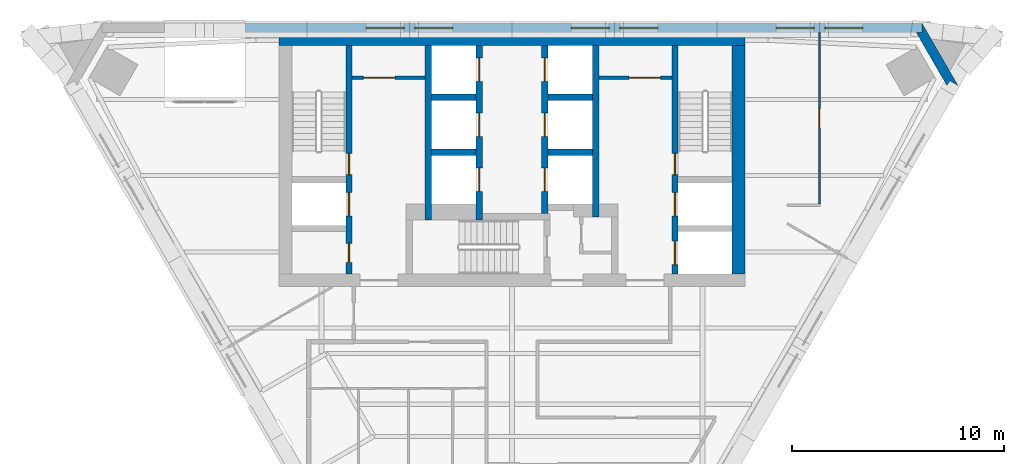
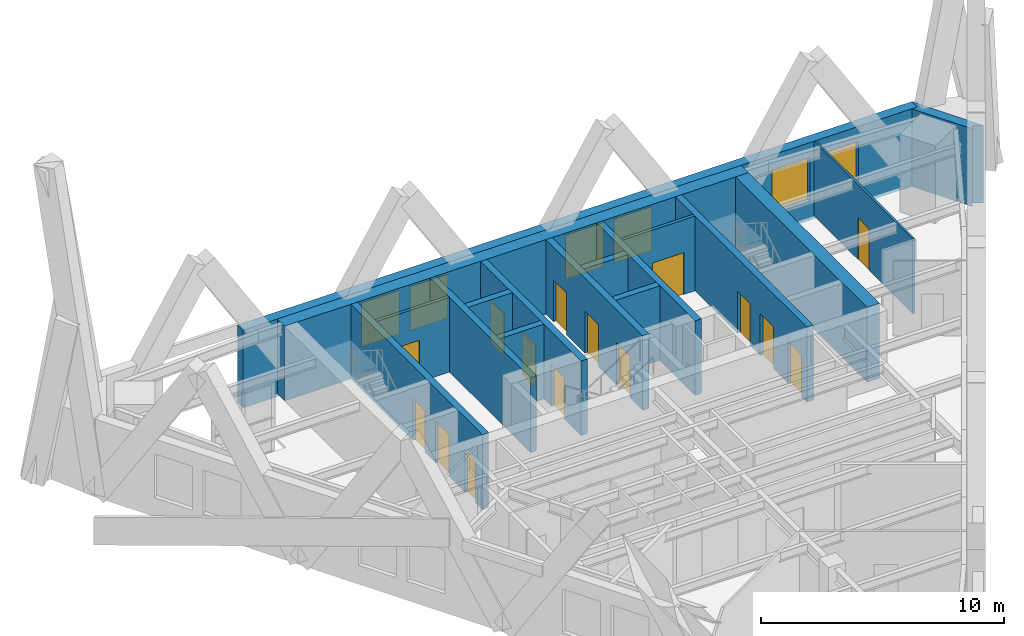
# One storey, part 6 of 9: 17 walls, 15 doors, 6 windows, 21 openings.
"""IFC4 building model written with IfcOpenShell, lengths in metres."""

from ifc_helpers import new_model, si_unit, direction, frame, frame_2d, origin, place, context, subcontext, project, spatial, polyline, rectangle, outline, extrude, material, layer, layer_set, type_object, element, fill, save


model = new_model("IFC4")

# Units and contexts
model_context = context("Model", 3, precision=1e-05, world=origin(), true_north=direction((0.0, 1.0)))
body_context = subcontext(model_context, "Body", "Model", "MODEL_VIEW")
ifc_project = project(units=[si_unit("LENGTHUNIT", "METRE"), si_unit("AREAUNIT", "SQUARE_METRE"), si_unit("VOLUMEUNIT", "CUBIC_METRE"), si_unit("PLANEANGLEUNIT", "RADIAN"), si_unit("MASSUNIT", "GRAM", prefix="KILO")], contexts=[model_context])

# Site, building, storey
site_placement = place(None, origin())
site = spatial("IfcSite", under=ifc_project, at=site_placement, CompositionType="ELEMENT")
building_placement = place(site_placement, origin())
building = spatial("IfcBuilding", under=site, at=building_placement, Name="Aloe Facet Convention Tower", CompositionType="ELEMENT")
storey_placement = place(building_placement, frame((0.0, 0.0, 195.800048828125)))
storey = spatial("IfcBuildingStorey", under=building, at=storey_placement, Name="L49", CompositionType="ELEMENT", Elevation=195.800048828125)

# Wall, opening, door
ifc_material_1 = material(Name="Concrete blockwork partition", Category="masonry")
ifc_layer_1 = layer(ifc_material_1, 0.14990234375)
ifc_layer_set_1 = layer_set([ifc_layer_1], Name="CR-W-PART150")
wall_type_1 = type_object("IfcWallType", Name="CR-W-PART150", PredefinedType="PARTITIONING", material=ifc_layer_set_1)
wall_1_placement = place(storey_placement, frame((72.449951171875, 132.425048828125, 0.0), z_axis=(0.0, 0.0, 1.0), x_axis=(1.0, 0.0, 0.0)))
wall_1 = element("IfcWall", 1, at=wall_1_placement, inside=storey, type_object=wall_type_1, Name="Core partition L49-007", PredefinedType="PARTITIONING", context=body_context, shape_type="SweptSolid", body=[
    extrude(rectangle(XDim=3.449951171875, YDim=0.14990234375, at=frame_2d((1.72509765625, 0.0))), origin(), (0.0, 0.0, 1.0), 3.75),
])
opening_1_placement = place(wall_1_placement, frame((0.52490234375, 0.0, 0.0)))
opening_1 = element("IfcOpeningElement", 2, at=opening_1_placement, cuts=wall_1, Name="Opening L49-CD14", PredefinedType="OPENING", context=body_context, shape_type="SweptSolid", body=[
    extrude(rectangle(XDim=1.5, YDim=2.10009765625, at=frame_2d((0.75, 1.050048828125))), frame((0.0, 0.0849609375, 0.0), z_axis=(0.0, -1.0, 0.0), x_axis=(1.0, 0.0, 0.0)), (0.0, 0.0, 1.0), 0.169921875),
])
ifc_material_2 = material(Name="Steel fire-resisting door set FD60", Category="steel")
door_type_1 = type_object("IfcDoorType", Name="CR-D-REFUGE-1500-FD60-DD", OperationType="DOUBLE_DOOR_DOUBLE_SWING", PredefinedType="DOOR", material=ifc_material_2)
door_1_placement = place(opening_1_placement, origin())
door_1 = element("IfcDoor", 3, at=door_1_placement, inside=storey, type_object=door_type_1, Name="Core door L49-CD14", OperationType="DOUBLE_DOOR_DOUBLE_SWING", OverallHeight=2.10009765625, OverallWidth=1.5, PredefinedType="DOOR", context=body_context, shape_type="SweptSolid", body=[
    extrude(rectangle(XDim=1.5, YDim=2.10009765625, at=frame_2d((0.75, 1.050048828125))), frame((0.0, 0.02490234375, 0.0), z_axis=(0.0, -1.0, 0.0), x_axis=(1.0, 0.0, 0.0)), (0.0, 0.0, 1.0), 0.050048828125),
])
fill(opening_1, door_1)

wall_2_placement = place(storey_placement, frame((84.10009765625, 132.425048828125, 0.0), z_axis=(0.0, 0.0, 1.0), x_axis=(1.0, 0.0, 0.0)))
wall_2 = element("IfcWall", 4, at=wall_2_placement, inside=storey, type_object=wall_type_1, Name="Core partition L49-025", PredefinedType="PARTITIONING", context=body_context, shape_type="SweptSolid", body=[
    extrude(rectangle(XDim=3.449951171875, YDim=0.14990234375, at=frame_2d((1.72509765625, 0.0))), origin(), (0.0, 0.0, 1.0), 3.75),
])
opening_2_placement = place(wall_2_placement, frame((1.425048828125, 0.0, 0.0)))
opening_2 = element("IfcOpeningElement", 5, at=opening_2_placement, cuts=wall_2, Name="Opening L49-CD13", PredefinedType="OPENING", context=body_context, shape_type="SweptSolid", body=[
    extrude(rectangle(XDim=1.5, YDim=2.10009765625, at=frame_2d((0.75, 1.050048828125))), frame((0.0, 0.0849609375, 0.0), z_axis=(0.0, -1.0, 0.0), x_axis=(1.0, 0.0, 0.0)), (0.0, 0.0, 1.0), 0.169921875),
])
door_2_placement = place(opening_2_placement, origin())
door_2 = element("IfcDoor", 6, at=door_2_placement, inside=storey, type_object=door_type_1, Name="Core door L49-CD13", OperationType="DOUBLE_DOOR_DOUBLE_SWING", OverallHeight=2.10009765625, OverallWidth=1.5, PredefinedType="DOOR", context=body_context, shape_type="SweptSolid", body=[
    extrude(rectangle(XDim=1.5, YDim=2.10009765625, at=frame_2d((0.75, 1.050048828125))), frame((0.0, 0.02490234375, 0.0), z_axis=(0.0, -1.0, 0.0), x_axis=(1.0, 0.0, 0.0)), (0.0, 0.0, 1.0), 0.050048828125),
])
fill(opening_2, door_2)

# Wall, openings, doors
ifc_material_3 = material(Name="Concrete C50/60", Category="concrete")
ifc_layer_2 = layer(ifc_material_3, 0.300048828125)
ifc_layer_set_2 = layer_set([ifc_layer_2], Name="CR-W-RC300-C5060")
wall_type_2 = type_object("IfcWallType", Name="CR-W-RC300-C5060", PredefinedType="SOLIDWALL", material=ifc_layer_set_2)
wall_3_placement = place(storey_placement, frame((72.300048828125, 133.949951171875, 0.0), z_axis=(0.0, 0.0, 1.0), x_axis=(0.0, -1.0, 0.0)))
wall_3 = element("IfcWall", 7, at=wall_3_placement, inside=storey, type_object=wall_type_2, Name="Core wall L49-006", PredefinedType="SOLIDWALL", context=body_context, shape_type="SweptSolid", body=[
    extrude(rectangle(XDim=10.800048828125, YDim=0.300048828125, at=frame_2d((5.39990234375, 0.0))), origin(), (0.0, 0.0, 1.0), 3.75),
])
opening_3_placement = place(wall_3_placement, frame((6.949951171875, 0.0, 0.0)))
opening_3 = element("IfcOpeningElement", 8, at=opening_3_placement, cuts=wall_3, Name="Opening LD-FF1-L49", PredefinedType="OPENING", context=body_context, shape_type="SweptSolid", body=[
    extrude(rectangle(XDim=1.10009765625, YDim=2.10009765625, at=frame_2d((0.550048828125, 1.050048828125))), frame((0.0, 0.16015625, 0.0), z_axis=(0.0, -1.0, 0.0), x_axis=(1.0, 0.0, 0.0)), (0.0, 0.0, 1.0), 0.320068359375),
])
opening_4_placement = place(wall_3_placement, frame((9.35009765625, 0.0, 0.0)))
opening_4 = element("IfcOpeningElement", 9, at=opening_4_placement, cuts=wall_3, Name="Opening L49-CD15", PredefinedType="OPENING", context=body_context, shape_type="SweptSolid", body=[
    extrude(rectangle(XDim=0.89990234375, YDim=2.10009765625, at=frame_2d((0.449951171875, 1.050048828125))), frame((0.0, 0.16015625, 0.0), z_axis=(0.0, -1.0, 0.0), x_axis=(1.0, 0.0, 0.0)), (0.0, 0.0, 1.0), 0.320068359375),
])
opening_5_placement = place(wall_3_placement, frame((5.10009765625, 0.0, 0.0)))
opening_5 = element("IfcOpeningElement", 10, at=opening_5_placement, cuts=wall_3, Name="Opening L49-CD16", PredefinedType="OPENING", context=body_context, shape_type="SweptSolid", body=[
    extrude(rectangle(XDim=1.0, YDim=2.10009765625, at=frame_2d((0.5, 1.050048828125))), frame((0.0, 0.16015625, 0.0), z_axis=(0.0, -1.0, 0.0), x_axis=(1.0, 0.0, 0.0)), (0.0, 0.0, 1.0), 0.320068359375),
])
ifc_material_4 = material(Name="Steel fire-resisting door set FD60", Category="steel")
door_type_2 = type_object("IfcDoorType", Name="CR-D-ROOM-900-FD60-SLEFT", OperationType="SINGLE_SWING_LEFT", PredefinedType="DOOR", material=ifc_material_4)
door_3_placement = place(opening_4_placement, origin())
door_3 = element("IfcDoor", 11, at=door_3_placement, inside=storey, type_object=door_type_2, Name="Core door L49-CD15", OperationType="SINGLE_SWING_LEFT", OverallHeight=2.10009765625, OverallWidth=0.89990234375, PredefinedType="DOOR", context=body_context, shape_type="SweptSolid", body=[
    extrude(rectangle(XDim=0.89990234375, YDim=2.10009765625, at=frame_2d((0.449951171875, 1.050048828125))), frame((0.0, 0.02490234375, 0.0), z_axis=(0.0, -1.0, 0.0), x_axis=(1.0, 0.0, 0.0)), (0.0, 0.0, 1.0), 0.050048828125),
])
fill(opening_4, door_3)
ifc_material_5 = material(Name="Steel fire-resisting door set FD120", Category="steel")
door_type_3 = type_object("IfcDoorType", Name="CR-D-STAIR-1000-FD120-SRIGHT", OperationType="SINGLE_SWING_RIGHT", PredefinedType="DOOR", material=ifc_material_5)
door_4_placement = place(opening_5_placement, origin())
door_4 = element("IfcDoor", 12, at=door_4_placement, inside=storey, type_object=door_type_3, Name="Core door L49-CD16", OperationType="SINGLE_SWING_RIGHT", OverallHeight=2.10009765625, OverallWidth=1.0, PredefinedType="DOOR", context=body_context, shape_type="SweptSolid", body=[
    extrude(rectangle(XDim=1.0, YDim=2.10009765625, at=frame_2d((0.5, 1.050048828125))), frame((0.0, 0.02490234375, 0.0), z_axis=(0.0, -1.0, 0.0), x_axis=(1.0, 0.0, 0.0)), (0.0, 0.0, 1.0), 0.050048828125),
])
fill(opening_5, door_4)
ifc_material_6 = material(Name="Stainless steel sliding landing door", Category="steel")
door_type_4 = type_object("IfcDoorType", Name="CR-LD-1100-FD120-_LEFT", OperationType="SLIDING_TO_LEFT", PredefinedType="DOOR", material=ifc_material_6)
door_5_placement = place(opening_3_placement, origin())
door_5 = element("IfcDoor", 13, at=door_5_placement, inside=storey, type_object=door_type_4, Name="Landing door FF1 L49", OperationType="SLIDING_TO_LEFT", OverallHeight=2.10009765625, OverallWidth=1.10009765625, PredefinedType="DOOR", context=body_context, shape_type="SweptSolid", body=[
    extrude(rectangle(XDim=1.10009765625, YDim=2.10009765625, at=frame_2d((0.550048828125, 1.050048828125))), frame((0.0, 0.02490234375, 0.0), z_axis=(0.0, -1.0, 0.0), x_axis=(1.0, 0.0, 0.0)), (0.0, 0.0, 1.0), 0.050048828125),
])
fill(opening_3, door_5)

# Walls
wall_4_placement = place(storey_placement, frame((76.050048828125, 133.949951171875, 0.0), z_axis=(0.0, 0.0, 1.0), x_axis=(0.0, -1.0, 0.0)))
element("IfcWall", 14, at=wall_4_placement, inside=storey, type_object=wall_type_2, Name="Core wall L49-010", PredefinedType="SOLIDWALL", context=body_context, shape_type="SweptSolid", body=[
    extrude(rectangle(XDim=8.25, YDim=0.300048828125, at=frame_2d((4.125, 0.0))), origin(), (0.0, 0.0, 1.0), 3.75),
])
for number, where, z_axis, x_axis, name in (
    (15, (76.199951171875, 131.5, 0.0), (0.0, 0.0, 1.0), (1.0, 0.0, 0.0), "Core wall L49-011"),
    (16, (76.199951171875, 128.89990234375, 0.0), (0.0, 0.0, 1.0), (1.0, 0.0, 0.0), "Core wall L49-012"),
):
    element("IfcWall", number, at=place(storey_placement, frame(where, z_axis=z_axis, x_axis=x_axis)), inside=storey, type_object=wall_type_2, Name=name, PredefinedType="SOLIDWALL", context=body_context, shape_type="SweptSolid", body=[
        extrude(rectangle(XDim=2.10009765625, YDim=0.300048828125, at=frame_2d((1.050048828125, 0.0))), origin(), (0.0, 0.0, 1.0), 3.75),
    ])

# Wall, openings, doors
wall_5_placement = place(storey_placement, frame((78.449951171875, 133.949951171875, 0.0), z_axis=(0.0, 0.0, 1.0), x_axis=(0.0, -1.0, 0.0)))
wall_5 = element("IfcWall", 17, at=wall_5_placement, inside=storey, type_object=wall_type_2, Name="Core wall L49-014", PredefinedType="SOLIDWALL", context=body_context, shape_type="SweptSolid", body=[
    extrude(rectangle(XDim=8.25, YDim=0.300048828125, at=frame_2d((4.125, 0.0))), origin(), (0.0, 0.0, 1.0), 3.75),
])
opening_6_placement = place(wall_5_placement, frame((0.60009765625, 0.0, 0.0)))
opening_6 = element("IfcOpeningElement", 18, at=opening_6_placement, cuts=wall_5, Name="Opening LD-B1-L49", PredefinedType="OPENING", context=body_context, shape_type="SweptSolid", body=[
    extrude(rectangle(XDim=1.10009765625, YDim=2.10009765625, at=frame_2d((0.550048828125, 1.050048828125))), frame((0.0, 0.16015625, 0.0), z_axis=(0.0, -1.0, 0.0), x_axis=(1.0, 0.0, 0.0)), (0.0, 0.0, 1.0), 0.320068359375),
])
opening_7_placement = place(wall_5_placement, frame((3.199951171875, 0.0, 0.0)))
opening_7 = element("IfcOpeningElement", 19, at=opening_7_placement, cuts=wall_5, Name="Opening LD-B2-L49", PredefinedType="OPENING", context=body_context, shape_type="SweptSolid", body=[
    extrude(rectangle(XDim=1.10009765625, YDim=2.10009765625, at=frame_2d((0.550048828125, 1.050048828125))), frame((0.0, 0.16015625, 0.0), z_axis=(0.0, -1.0, 0.0), x_axis=(1.0, 0.0, 0.0)), (0.0, 0.0, 1.0), 0.320068359375),
])
opening_8_placement = place(wall_5_placement, frame((5.800048828125, 0.0, 0.0)))
opening_8 = element("IfcOpeningElement", 20, at=opening_8_placement, cuts=wall_5, Name="Opening LD-B3-L49", PredefinedType="OPENING", context=body_context, shape_type="SweptSolid", body=[
    extrude(rectangle(XDim=1.10009765625, YDim=2.10009765625, at=frame_2d((0.550048828125, 1.050048828125))), frame((0.0, 0.16015625, 0.0), z_axis=(0.0, -1.0, 0.0), x_axis=(1.0, 0.0, 0.0)), (0.0, 0.0, 1.0), 0.320068359375),
])
ifc_material_7 = material(Name="Stainless steel sliding landing door", Category="steel")
door_type_5 = type_object("IfcDoorType", Name="CR-LD-1100-FD60-RIGHT", OperationType="SLIDING_TO_RIGHT", PredefinedType="DOOR", material=ifc_material_7)
door_6_placement = place(opening_6_placement, origin())
door_6 = element("IfcDoor", 21, at=door_6_placement, inside=storey, type_object=door_type_5, Name="Landing door B1 L49", OperationType="SLIDING_TO_RIGHT", OverallHeight=2.10009765625, OverallWidth=1.10009765625, PredefinedType="DOOR", context=body_context, shape_type="SweptSolid", body=[
    extrude(rectangle(XDim=1.10009765625, YDim=2.10009765625, at=frame_2d((0.550048828125, 1.050048828125))), frame((0.0, 0.02490234375, 0.0), z_axis=(0.0, -1.0, 0.0), x_axis=(1.0, 0.0, 0.0)), (0.0, 0.0, 1.0), 0.050048828125),
])
fill(opening_6, door_6)
door_7_placement = place(opening_7_placement, origin())
door_7 = element("IfcDoor", 22, at=door_7_placement, inside=storey, type_object=door_type_5, Name="Landing door B2 L49", OperationType="SLIDING_TO_RIGHT", OverallHeight=2.10009765625, OverallWidth=1.10009765625, PredefinedType="DOOR", context=body_context, shape_type="SweptSolid", body=[
    extrude(rectangle(XDim=1.10009765625, YDim=2.10009765625, at=frame_2d((0.550048828125, 1.050048828125))), frame((0.0, 0.02490234375, 0.0), z_axis=(0.0, -1.0, 0.0), x_axis=(1.0, 0.0, 0.0)), (0.0, 0.0, 1.0), 0.050048828125),
])
fill(opening_7, door_7)
door_8_placement = place(opening_8_placement, origin())
door_8 = element("IfcDoor", 23, at=door_8_placement, inside=storey, type_object=door_type_5, Name="Landing door B3 L49", OperationType="SLIDING_TO_RIGHT", OverallHeight=2.10009765625, OverallWidth=1.10009765625, PredefinedType="DOOR", context=body_context, shape_type="SweptSolid", body=[
    extrude(rectangle(XDim=1.10009765625, YDim=2.10009765625, at=frame_2d((0.550048828125, 1.050048828125))), frame((0.0, 0.02490234375, 0.0), z_axis=(0.0, -1.0, 0.0), x_axis=(1.0, 0.0, 0.0)), (0.0, 0.0, 1.0), 0.050048828125),
])
fill(opening_8, door_8)

wall_6_placement = place(storey_placement, frame((81.550048828125, 133.949951171875, 0.0), z_axis=(0.0, 0.0, 1.0), x_axis=(0.0, -1.0, 0.0)))
wall_6 = element("IfcWall", 24, at=wall_6_placement, inside=storey, type_object=wall_type_2, Name="Core wall L49-016", PredefinedType="SOLIDWALL", context=body_context, shape_type="SweptSolid", body=[
    extrude(rectangle(XDim=7.949951171875, YDim=0.300048828125, at=frame_2d((3.97509765625, 0.0))), origin(), (0.0, 0.0, 1.0), 3.75),
])
opening_9_placement = place(wall_6_placement, frame((0.60009765625, 0.0, 0.0)))
opening_9 = element("IfcOpeningElement", 25, at=opening_9_placement, cuts=wall_6, Name="Opening LD-B4-L49", PredefinedType="OPENING", context=body_context, shape_type="SweptSolid", body=[
    extrude(rectangle(XDim=1.10009765625, YDim=2.10009765625, at=frame_2d((0.550048828125, 1.050048828125))), frame((0.0, 0.16015625, 0.0), z_axis=(0.0, -1.0, 0.0), x_axis=(1.0, 0.0, 0.0)), (0.0, 0.0, 1.0), 0.320068359375),
])
opening_10_placement = place(wall_6_placement, frame((3.199951171875, 0.0, 0.0)))
opening_10 = element("IfcOpeningElement", 26, at=opening_10_placement, cuts=wall_6, Name="Opening LD-B5-L49", PredefinedType="OPENING", context=body_context, shape_type="SweptSolid", body=[
    extrude(rectangle(XDim=1.10009765625, YDim=2.10009765625, at=frame_2d((0.550048828125, 1.050048828125))), frame((0.0, 0.16015625, 0.0), z_axis=(0.0, -1.0, 0.0), x_axis=(1.0, 0.0, 0.0)), (0.0, 0.0, 1.0), 0.320068359375),
])
opening_11_placement = place(wall_6_placement, frame((5.800048828125, 0.0, 0.0)))
opening_11 = element("IfcOpeningElement", 27, at=opening_11_placement, cuts=wall_6, Name="Opening LD-B6-L49", PredefinedType="OPENING", context=body_context, shape_type="SweptSolid", body=[
    extrude(rectangle(XDim=1.10009765625, YDim=2.10009765625, at=frame_2d((0.550048828125, 1.050048828125))), frame((0.0, 0.16015625, 0.0), z_axis=(0.0, -1.0, 0.0), x_axis=(1.0, 0.0, 0.0)), (0.0, 0.0, 1.0), 0.320068359375),
])
ifc_material_8 = material(Name="Stainless steel sliding landing door", Category="steel")
door_type_6 = type_object("IfcDoorType", Name="CR-LD-1100-FD60-_LEFT", OperationType="SLIDING_TO_LEFT", PredefinedType="DOOR", material=ifc_material_8)
door_9_placement = place(opening_9_placement, origin())
door_9 = element("IfcDoor", 28, at=door_9_placement, inside=storey, type_object=door_type_6, Name="Landing door B4 L49", OperationType="SLIDING_TO_LEFT", OverallHeight=2.10009765625, OverallWidth=1.10009765625, PredefinedType="DOOR", context=body_context, shape_type="SweptSolid", body=[
    extrude(rectangle(XDim=1.10009765625, YDim=2.10009765625, at=frame_2d((0.550048828125, 1.050048828125))), frame((0.0, 0.02490234375, 0.0), z_axis=(0.0, -1.0, 0.0), x_axis=(1.0, 0.0, 0.0)), (0.0, 0.0, 1.0), 0.050048828125),
])
fill(opening_9, door_9)
door_10_placement = place(opening_10_placement, origin())
door_10 = element("IfcDoor", 29, at=door_10_placement, inside=storey, type_object=door_type_6, Name="Landing door B5 L49", OperationType="SLIDING_TO_LEFT", OverallHeight=2.10009765625, OverallWidth=1.10009765625, PredefinedType="DOOR", context=body_context, shape_type="SweptSolid", body=[
    extrude(rectangle(XDim=1.10009765625, YDim=2.10009765625, at=frame_2d((0.550048828125, 1.050048828125))), frame((0.0, 0.02490234375, 0.0), z_axis=(0.0, -1.0, 0.0), x_axis=(1.0, 0.0, 0.0)), (0.0, 0.0, 1.0), 0.050048828125),
])
fill(opening_10, door_10)
door_11_placement = place(opening_11_placement, origin())
door_11 = element("IfcDoor", 30, at=door_11_placement, inside=storey, type_object=door_type_6, Name="Landing door B6 L49", OperationType="SLIDING_TO_LEFT", OverallHeight=2.10009765625, OverallWidth=1.10009765625, PredefinedType="DOOR", context=body_context, shape_type="SweptSolid", body=[
    extrude(rectangle(XDim=1.10009765625, YDim=2.10009765625, at=frame_2d((0.550048828125, 1.050048828125))), frame((0.0, 0.02490234375, 0.0), z_axis=(0.0, -1.0, 0.0), x_axis=(1.0, 0.0, 0.0)), (0.0, 0.0, 1.0), 0.050048828125),
])
fill(opening_11, door_11)

# Walls
for number, where, z_axis, x_axis, name in (
    (31, (81.699951171875, 131.5, 0.0), (0.0, 0.0, 1.0), (1.0, 0.0, 0.0), "Core wall L49-018"),
    (32, (81.699951171875, 128.89990234375, 0.0), (0.0, 0.0, 1.0), (1.0, 0.0, 0.0), "Core wall L49-019"),
):
    element("IfcWall", number, at=place(storey_placement, frame(where, z_axis=z_axis, x_axis=x_axis)), inside=storey, type_object=wall_type_2, Name=name, PredefinedType="SOLIDWALL", context=body_context, shape_type="SweptSolid", body=[
        extrude(rectangle(XDim=2.10009765625, YDim=0.300048828125, at=frame_2d((1.050048828125, 0.0))), origin(), (0.0, 0.0, 1.0), 3.75),
    ])
wall_7_placement = place(storey_placement, frame((83.949951171875, 133.949951171875, 0.0), z_axis=(0.0, 0.0, 1.0), x_axis=(0.0, -1.0, 0.0)))
element("IfcWall", 33, at=wall_7_placement, inside=storey, type_object=wall_type_2, Name="Core wall L49-024", PredefinedType="SOLIDWALL", context=body_context, shape_type="SweptSolid", body=[
    extrude(rectangle(XDim=8.099853515625, YDim=0.300048828125, at=frame_2d((4.0498046875, 0.0))), origin(), (0.0, 0.0, 1.0), 3.75),
])

# Wall, openings, doors
wall_8_placement = place(storey_placement, frame((87.699951171875, 133.949951171875, 0.0), z_axis=(0.0, 0.0, 1.0), x_axis=(0.0, -1.0, 0.0)))
wall_8 = element("IfcWall", 34, at=wall_8_placement, inside=storey, type_object=wall_type_2, Name="Core wall L49-028", PredefinedType="SOLIDWALL", context=body_context, shape_type="SweptSolid", body=[
    extrude(rectangle(XDim=10.800048828125, YDim=0.300048828125, at=frame_2d((5.39990234375, 0.0))), origin(), (0.0, 0.0, 1.0), 3.75),
])
opening_12_placement = place(wall_8_placement, frame((6.949951171875, 0.0, 0.0)))
opening_12 = element("IfcOpeningElement", 35, at=opening_12_placement, cuts=wall_8, Name="Opening LD-FF2-L49", PredefinedType="OPENING", context=body_context, shape_type="SweptSolid", body=[
    extrude(rectangle(XDim=1.10009765625, YDim=2.10009765625, at=frame_2d((0.550048828125, 1.050048828125))), frame((0.0, 0.16015625, 0.0), z_axis=(0.0, -1.0, 0.0), x_axis=(1.0, 0.0, 0.0)), (0.0, 0.0, 1.0), 0.320068359375),
])
opening_13_placement = place(wall_8_placement, frame((5.10009765625, 0.0, 0.0)))
opening_13 = element("IfcOpeningElement", 36, at=opening_13_placement, cuts=wall_8, Name="Opening L49-CD17", PredefinedType="OPENING", context=body_context, shape_type="SweptSolid", body=[
    extrude(rectangle(XDim=1.0, YDim=2.10009765625, at=frame_2d((0.5, 1.050048828125))), frame((0.0, 0.16015625, 0.0), z_axis=(0.0, -1.0, 0.0), x_axis=(1.0, 0.0, 0.0)), (0.0, 0.0, 1.0), 0.320068359375),
])
opening_14_placement = place(wall_8_placement, frame((9.25, 0.0, 0.0)))
opening_14 = element("IfcOpeningElement", 37, at=opening_14_placement, cuts=wall_8, Name="Opening LD-SV1-L49", PredefinedType="OPENING", context=body_context, shape_type="SweptSolid", body=[
    extrude(rectangle(XDim=1.10009765625, YDim=2.10009765625, at=frame_2d((0.550048828125, 1.050048828125))), frame((0.0, 0.16015625, 0.0), z_axis=(0.0, -1.0, 0.0), x_axis=(1.0, 0.0, 0.0)), (0.0, 0.0, 1.0), 0.320068359375),
])
ifc_material_9 = material(Name="Steel fire-resisting door set FD120", Category="steel")
door_type_7 = type_object("IfcDoorType", Name="CR-D-STAIR-1000-FD120-SLEFT", OperationType="SINGLE_SWING_LEFT", PredefinedType="DOOR", material=ifc_material_9)
door_12_placement = place(opening_13_placement, origin())
door_12 = element("IfcDoor", 38, at=door_12_placement, inside=storey, type_object=door_type_7, Name="Core door L49-CD17", OperationType="SINGLE_SWING_LEFT", OverallHeight=2.10009765625, OverallWidth=1.0, PredefinedType="DOOR", context=body_context, shape_type="SweptSolid", body=[
    extrude(rectangle(XDim=1.0, YDim=2.10009765625, at=frame_2d((0.5, 1.050048828125))), frame((0.0, 0.02490234375, 0.0), z_axis=(0.0, -1.0, 0.0), x_axis=(1.0, 0.0, 0.0)), (0.0, 0.0, 1.0), 0.050048828125),
])
fill(opening_13, door_12)
door_13_placement = place(opening_12_placement, origin())
door_13 = element("IfcDoor", 39, at=door_13_placement, inside=storey, type_object=door_type_4, Name="Landing door FF2 L49", OperationType="SLIDING_TO_LEFT", OverallHeight=2.10009765625, OverallWidth=1.10009765625, PredefinedType="DOOR", context=body_context, shape_type="SweptSolid", body=[
    extrude(rectangle(XDim=1.10009765625, YDim=2.10009765625, at=frame_2d((0.550048828125, 1.050048828125))), frame((0.0, 0.02490234375, 0.0), z_axis=(0.0, -1.0, 0.0), x_axis=(1.0, 0.0, 0.0)), (0.0, 0.0, 1.0), 0.050048828125),
])
fill(opening_12, door_13)
door_14_placement = place(opening_14_placement, origin())
door_14 = element("IfcDoor", 40, at=door_14_placement, inside=storey, type_object=door_type_4, Name="Landing door SV1 L49", OperationType="SLIDING_TO_LEFT", OverallHeight=2.10009765625, OverallWidth=1.10009765625, PredefinedType="DOOR", context=body_context, shape_type="SweptSolid", body=[
    extrude(rectangle(XDim=1.10009765625, YDim=2.10009765625, at=frame_2d((0.550048828125, 1.050048828125))), frame((0.0, 0.02490234375, 0.0), z_axis=(0.0, -1.0, 0.0), x_axis=(1.0, 0.0, 0.0)), (0.0, 0.0, 1.0), 0.050048828125),
])
fill(opening_14, door_14)

# Walls
ifc_material_10 = material(Name="Concrete C50/60", Category="concrete")
ifc_layer_3 = layer(ifc_material_10, 0.60009765625)
ifc_layer_set_3 = layer_set([ifc_layer_3], Name="CR-W-RC600-C5060")
wall_type_3 = type_object("IfcWallType", Name="CR-W-RC600-C5060", PredefinedType="SOLIDWALL", material=ifc_layer_set_3)
wall_9_placement = place(storey_placement, frame((69.0, 134.25, 0.0), z_axis=(0.0, 0.0, 1.0), x_axis=(1.0, 0.0, 0.0)))
element("IfcWall", 41, at=wall_9_placement, inside=storey, type_object=wall_type_3, Name="Core wall L49-001", PredefinedType="SOLIDWALL", context=body_context, shape_type="SweptSolid", body=[
    extrude(rectangle(XDim=22.0, YDim=0.60009765625, at=frame_2d((11.0, 0.0))), origin(), (0.0, 0.0, 1.0), 3.75),
])
wall_10_placement = place(storey_placement, frame((90.699951171875, 133.949951171875, 0.0), z_axis=(0.0, 0.0, 1.0), x_axis=(0.0, -1.0, 0.0)))
element("IfcWall", 42, at=wall_10_placement, inside=storey, type_object=wall_type_3, Name="Core wall L49-031", PredefinedType="SOLIDWALL", context=body_context, shape_type="SweptSolid", body=[
    extrude(rectangle(XDim=10.800048828125, YDim=0.60009765625, at=frame_2d((5.39990234375, 0.0))), origin(), (0.0, 0.0, 1.0), 3.75),
])
ifc_material_11 = material(Name="Precast concrete C40/50", Category="concrete")
ifc_layer_4 = layer(ifc_material_11, 0.449951171875)
ifc_layer_set_4 = layer_set([ifc_layer_4], Name="EV-WALL-PIER")
wall_type_4 = type_object("IfcWallType", Name="EV-WALL-PIER", PredefinedType="SOLIDWALL", material=ifc_layer_set_4)
wall_11_placement = place(storey_placement, frame((0.0, 0.0, -0.150146484375)))
element("IfcWall", 43, at=wall_11_placement, inside=storey, type_object=wall_type_4, Name="EP-L49-C", PredefinedType="SOLIDWALL", context=body_context, shape_type="SweptSolid", body=[
    extrude(outline(polyline([(101.064697265625, 132.055419921875), (100.6748046875, 132.280517578125), (100.544921875, 132.055419921875), (99.104736328125, 134.550048828125), (99.364501953125, 134.550048828125), (99.364501953125, 135.0), (101.064697265625, 132.055419921875)])), origin(), (0.0, 0.0, 1.0), 3.900146484375),
])

# Wall, openings, windows
ifc_material_12 = material(Name="Precast concrete C40/50", Category="concrete")
ifc_layer_5 = layer(ifc_material_12, 0.449951171875)
ifc_layer_set_5 = layer_set([ifc_layer_5], Name="EV-WALL-STONE")
wall_type_5 = type_object("IfcWallType", Name="EV-WALL-STONE", PredefinedType="SOLIDWALL", material=ifc_layer_set_5)
wall_12_placement = place(storey_placement, frame((99.364501953125, 134.77490234375, -0.150146484375), z_axis=(0.0, 0.0, 1.0), x_axis=(-1.0, 0.0, 0.0)))
wall_12 = element("IfcWall", 44, at=wall_12_placement, inside=storey, type_object=wall_type_5, Name="EW-L49-N01", PredefinedType="SOLIDWALL", context=body_context, shape_type="SweptSolid", body=[
    extrude(outline(polyline([(0.0, 0.0), (0.0, 3.900146484375), (31.988037109375, 3.900146484375), (31.988037109375, 0.0), (0.0, 0.0)])), frame((0.0, 0.22509765625, 0.0), z_axis=(0.0, -1.0, 0.0), x_axis=(1.0, 0.0, 0.0)), (0.0, 0.0, 1.0), 0.449951171875),
])
opening_15_placement = place(wall_12_placement, frame((2.791259765625, 0.0, 0.949951171875)))
opening_15 = element("IfcOpeningElement", 45, at=opening_15_placement, cuts=wall_12, Name="Opening W-L49-N01", PredefinedType="OPENING", context=body_context, shape_type="SweptSolid", body=[
    extrude(rectangle(XDim=1.800048828125, YDim=2.199951171875, at=frame_2d((0.89990234375, 1.10009765625))), frame((0.0, 0.23486328125, 0.0), z_axis=(0.0, -1.0, 0.0), x_axis=(1.0, 0.0, 0.0)), (0.0, 0.0, 1.0), 0.469970703125),
])
opening_16_placement = place(wall_12_placement, frame((5.091064453125, 0.0, 0.949951171875)))
opening_16 = element("IfcOpeningElement", 46, at=opening_16_placement, cuts=wall_12, Name="Opening W-L49-N02", PredefinedType="OPENING", context=body_context, shape_type="SweptSolid", body=[
    extrude(rectangle(XDim=1.800048828125, YDim=2.199951171875, at=frame_2d((0.89990234375, 1.10009765625))), frame((0.0, 0.23486328125, 0.0), z_axis=(0.0, -1.0, 0.0), x_axis=(1.0, 0.0, 0.0)), (0.0, 0.0, 1.0), 0.469970703125),
])
opening_17_placement = place(wall_12_placement, frame((12.473388671875, 0.0, 0.949951171875)))
opening_17 = element("IfcOpeningElement", 47, at=opening_17_placement, cuts=wall_12, Name="Opening W-L49-N03", PredefinedType="OPENING", context=body_context, shape_type="SweptSolid", body=[
    extrude(rectangle(XDim=1.800048828125, YDim=2.199951171875, at=frame_2d((0.89990234375, 1.10009765625))), frame((0.0, 0.23486328125, 0.0), z_axis=(0.0, -1.0, 0.0), x_axis=(1.0, 0.0, 0.0)), (0.0, 0.0, 1.0), 0.469970703125),
])
opening_18_placement = place(wall_12_placement, frame((14.7734375, 0.0, 0.949951171875)))
opening_18 = element("IfcOpeningElement", 48, at=opening_18_placement, cuts=wall_12, Name="Opening W-L49-N04", PredefinedType="OPENING", context=body_context, shape_type="SweptSolid", body=[
    extrude(rectangle(XDim=1.800048828125, YDim=2.199951171875, at=frame_2d((0.89990234375, 1.10009765625))), frame((0.0, 0.23486328125, 0.0), z_axis=(0.0, -1.0, 0.0), x_axis=(1.0, 0.0, 0.0)), (0.0, 0.0, 1.0), 0.469970703125),
])
opening_19_placement = place(wall_12_placement, frame((22.15576171875, 0.0, 0.949951171875)))
opening_19 = element("IfcOpeningElement", 49, at=opening_19_placement, cuts=wall_12, Name="Opening W-L49-N05", PredefinedType="OPENING", context=body_context, shape_type="SweptSolid", body=[
    extrude(rectangle(XDim=1.800048828125, YDim=2.199951171875, at=frame_2d((0.89990234375, 1.10009765625))), frame((0.0, 0.23486328125, 0.0), z_axis=(0.0, -1.0, 0.0), x_axis=(1.0, 0.0, 0.0)), (0.0, 0.0, 1.0), 0.469970703125),
])
opening_20_placement = place(wall_12_placement, frame((24.455810546875, 0.0, 0.949951171875)))
opening_20 = element("IfcOpeningElement", 50, at=opening_20_placement, cuts=wall_12, Name="Opening W-L49-N06", PredefinedType="OPENING", context=body_context, shape_type="SweptSolid", body=[
    extrude(rectangle(XDim=1.800048828125, YDim=2.199951171875, at=frame_2d((0.89990234375, 1.10009765625))), frame((0.0, 0.23486328125, 0.0), z_axis=(0.0, -1.0, 0.0), x_axis=(1.0, 0.0, 0.0)), (0.0, 0.0, 1.0), 0.469970703125),
])
ifc_material_13 = material(Name="Aluminium frame, clear double glazing", Category="aluminium")
window_type = type_object("IfcWindowType", Name="EV-WIN-O18", PartitioningType="SINGLE_PANEL", PredefinedType="WINDOW", material=ifc_material_13)
window_1_placement = place(opening_15_placement, origin())
window_1 = element("IfcWindow", 51, at=window_1_placement, inside=storey, type_object=window_type, Name="W-L49-N01", OverallHeight=2.199951171875, OverallWidth=1.800048828125, PartitioningType="SINGLE_PANEL", PredefinedType="WINDOW", context=body_context, shape_type="SweptSolid", body=[
    extrude(rectangle(XDim=1.800048828125, YDim=2.199951171875, at=frame_2d((0.89990234375, 1.10009765625))), frame((0.0, 0.030029296875, 0.0), z_axis=(0.0, -1.0, 0.0), x_axis=(1.0, 0.0, 0.0)), (0.0, 0.0, 1.0), 0.06005859375),
])
fill(opening_15, window_1)
window_2_placement = place(opening_16_placement, origin())
window_2 = element("IfcWindow", 52, at=window_2_placement, inside=storey, type_object=window_type, Name="W-L49-N02", OverallHeight=2.199951171875, OverallWidth=1.800048828125, PartitioningType="SINGLE_PANEL", PredefinedType="WINDOW", context=body_context, shape_type="SweptSolid", body=[
    extrude(rectangle(XDim=1.800048828125, YDim=2.199951171875, at=frame_2d((0.89990234375, 1.10009765625))), frame((0.0, 0.030029296875, 0.0), z_axis=(0.0, -1.0, 0.0), x_axis=(1.0, 0.0, 0.0)), (0.0, 0.0, 1.0), 0.06005859375),
])
fill(opening_16, window_2)
window_3_placement = place(opening_17_placement, origin())
window_3 = element("IfcWindow", 53, at=window_3_placement, inside=storey, type_object=window_type, Name="W-L49-N03", OverallHeight=2.199951171875, OverallWidth=1.800048828125, PartitioningType="SINGLE_PANEL", PredefinedType="WINDOW", context=body_context, shape_type="SweptSolid", body=[
    extrude(rectangle(XDim=1.800048828125, YDim=2.199951171875, at=frame_2d((0.89990234375, 1.10009765625))), frame((0.0, 0.030029296875, 0.0), z_axis=(0.0, -1.0, 0.0), x_axis=(1.0, 0.0, 0.0)), (0.0, 0.0, 1.0), 0.06005859375),
])
fill(opening_17, window_3)
window_4_placement = place(opening_18_placement, origin())
window_4 = element("IfcWindow", 54, at=window_4_placement, inside=storey, type_object=window_type, Name="W-L49-N04", OverallHeight=2.199951171875, OverallWidth=1.800048828125, PartitioningType="SINGLE_PANEL", PredefinedType="WINDOW", context=body_context, shape_type="SweptSolid", body=[
    extrude(rectangle(XDim=1.800048828125, YDim=2.199951171875, at=frame_2d((0.89990234375, 1.10009765625))), frame((0.0, 0.030029296875, 0.0), z_axis=(0.0, -1.0, 0.0), x_axis=(1.0, 0.0, 0.0)), (0.0, 0.0, 1.0), 0.06005859375),
])
fill(opening_18, window_4)
window_5_placement = place(opening_19_placement, origin())
window_5 = element("IfcWindow", 55, at=window_5_placement, inside=storey, type_object=window_type, Name="W-L49-N05", OverallHeight=2.199951171875, OverallWidth=1.800048828125, PartitioningType="SINGLE_PANEL", PredefinedType="WINDOW", context=body_context, shape_type="SweptSolid", body=[
    extrude(rectangle(XDim=1.800048828125, YDim=2.199951171875, at=frame_2d((0.89990234375, 1.10009765625))), frame((0.0, 0.030029296875, 0.0), z_axis=(0.0, -1.0, 0.0), x_axis=(1.0, 0.0, 0.0)), (0.0, 0.0, 1.0), 0.06005859375),
])
fill(opening_19, window_5)
window_6_placement = place(opening_20_placement, origin())
window_6 = element("IfcWindow", 56, at=window_6_placement, inside=storey, type_object=window_type, Name="W-L49-N06", OverallHeight=2.199951171875, OverallWidth=1.800048828125, PartitioningType="SINGLE_PANEL", PredefinedType="WINDOW", context=body_context, shape_type="SweptSolid", body=[
    extrude(rectangle(XDim=1.800048828125, YDim=2.199951171875, at=frame_2d((0.89990234375, 1.10009765625))), frame((0.0, 0.030029296875, 0.0), z_axis=(0.0, -1.0, 0.0), x_axis=(1.0, 0.0, 0.0)), (0.0, 0.0, 1.0), 0.06005859375),
])
fill(opening_20, window_6)

# Wall, opening, door
ifc_material_14 = material(Name="Gypsum board partition on steel studs", Category="steel")
ifc_layer_6 = layer(ifc_material_14, 0.10009765625)
ifc_layer_set_6 = layer_set([ifc_layer_6], Name="IN-W-PART")
wall_type_6 = type_object("IfcWallType", Name="IN-W-PART", PredefinedType="PARTITIONING", material=ifc_layer_set_6)
wall_13_placement = place(storey_placement, frame((94.521484375, 126.449951171875, 0.0), z_axis=(0.0, 0.0, 1.0), x_axis=(0.000241123629, 0.99999997093, 0.0)))
wall_13 = element("IfcWall", 57, at=wall_13_placement, inside=storey, type_object=wall_type_6, Name="Partition L49-W036", PredefinedType="PARTITIONING", context=body_context, shape_type="SweptSolid", body=[
    extrude(rectangle(XDim=8.10009765625, YDim=0.10009765625, at=frame_2d((4.050048828125, 0.0))), origin(), (0.0, 0.0, 1.0), 3.75),
])
opening_21_placement = place(wall_13_placement, frame((3.599853515625, 0.0, 0.0)))
opening_21 = element("IfcOpeningElement", 58, at=opening_21_placement, cuts=wall_13, Name="Opening L49-006", PredefinedType="OPENING", context=body_context, shape_type="SweptSolid", body=[
    extrude(rectangle(XDim=0.89990234375, YDim=2.10009765625, at=frame_2d((0.449951171875, 1.050048828125))), frame((0.0, 0.06005859375, 0.0), z_axis=(0.0, -1.0, 0.0), x_axis=(1.0, 0.0, 0.0)), (0.0, 0.0, 1.0), 0.1201171875),
])
ifc_material_15 = material(Name="Timber door", Category="wood")
door_type_8 = type_object("IfcDoorType", Name="IN-OFF-D-ROOM", OperationType="SINGLE_SWING_LEFT", PredefinedType="DOOR", material=ifc_material_15)
door_15_placement = place(opening_21_placement, origin())
door_15 = element("IfcDoor", 59, at=door_15_placement, inside=storey, type_object=door_type_8, Name="Door L49-006", OperationType="SINGLE_SWING_LEFT", OverallHeight=2.10009765625, OverallWidth=0.89990234375, PredefinedType="DOOR", context=body_context, shape_type="SweptSolid", body=[
    extrude(rectangle(XDim=0.89990234375, YDim=2.10009765625, at=frame_2d((0.449951171875, 1.050048828125))), frame((0.0, 0.02490234375, 0.0), z_axis=(0.0, -1.0, 0.0), x_axis=(1.0, 0.0, 0.0)), (0.0, 0.0, 1.0), 0.050048828125),
])
fill(opening_21, door_15)

save(model, "model.ifc")
